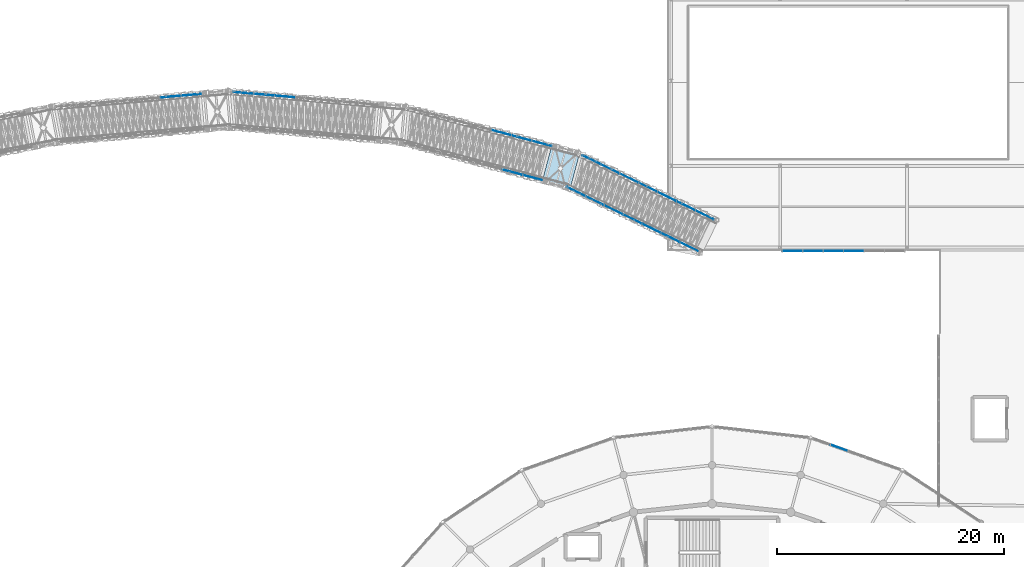
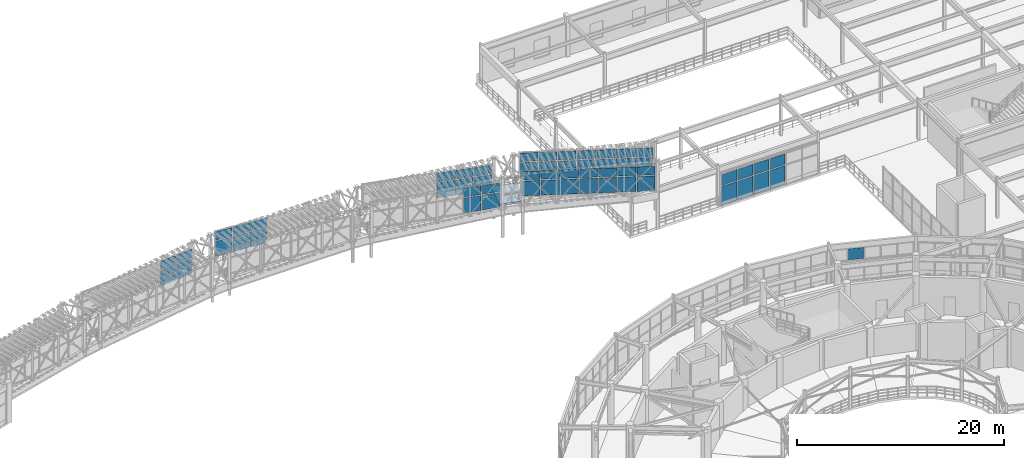
# One storey, part 89 of 144: 57 plates, 1 slab, 9 elements without a shape of their own.
"""IFC4 building model written with IfcOpenShell, lengths in metres."""

from ifc_helpers import new_model, si_unit, direction, frame, origin, origin_2d, place, context, subcontext, project, spatial, polyline, rectangle, outline, extrude, material, layer, layer_set, type_object, element, aggregate, save


model = new_model("IFC4")

# Units and contexts
model_context = context("Model", 3, precision=1e-05, world=origin(), true_north=direction((0.0, 1.0)))
body_context = subcontext(model_context, "Body", "Model", "MODEL_VIEW")
ifc_project = project(units=[si_unit("LENGTHUNIT", "METRE"), si_unit("AREAUNIT", "SQUARE_METRE"), si_unit("VOLUMEUNIT", "CUBIC_METRE"), si_unit("PLANEANGLEUNIT", "RADIAN"), si_unit("MASSUNIT", "GRAM", prefix="KILO")], contexts=[model_context])

# Site, building, storey
site_placement = place(None, origin())
site = spatial("IfcSite", under=ifc_project, at=site_placement, CompositionType="ELEMENT")
building_placement = place(site_placement, origin())
building = spatial("IfcBuilding", under=site, at=building_placement, Name="Cinderbank Siding Concert Hall", CompositionType="ELEMENT")
storey_placement = place(building_placement, frame((0.0, 0.0, 5.39990234375)))
storey = spatial("IfcBuildingStorey", under=building, at=storey_placement, Name="L02", CompositionType="ELEMENT", Elevation=5.39990234375)

# Curtain wall, plates
ifc_material_1 = material(Name="Anodised aluminium alloy 6063-T6", Category="aluminium")
curtain_wall_type_1 = type_object("IfcCurtainWallType", Name="CW-15 Unitised Acoustic Curtain Wall 12800x3200", PredefinedType="NOTDEFINED", material=ifc_material_1)
curtain_wall_1_placement = place(storey_placement, origin())
curtain_wall_1 = element("IfcCurtainWall", 1, at=curtain_wall_1_placement, inside=storey, type_object=curtain_wall_type_1, Name="L02 Curtain Wall CW-15 #160", PredefinedType="NOTDEFINED")
ifc_material_2 = material(Name="Double-glazed laminated acoustic glass", Category="glass")
ifc_layer_1 = layer(ifc_material_2, 0.035888671875)
ifc_layer_set_1 = layer_set([ifc_layer_1], Name="Double-glazed laminated acoustic glass")
plate_type_1 = type_object("IfcPlateType", Name="CP-01 Glazed Curtain Panel 1800x2200", PredefinedType="CURTAIN_PANEL", material=ifc_layer_set_1)
plate_1_placement = place(storey_placement, frame((104.39013671875, 95.23974609375, 3.480224609375), z_axis=(0.0, 0.0, 1.0), x_axis=(0.96592613165, -0.258817905479, 0.0)))
plate_1 = element("IfcPlate", 2, at=plate_1_placement, type_object=plate_type_1, Name="CW-L02-160 Glazed Panel 5-0", PredefinedType="CURTAIN_PANEL", context=body_context, shape_type="SweptSolid", body=[
    extrude(rectangle(XDim=1.755126953125, YDim=0.035888671875, at=origin_2d()), origin(), (0.0, 0.0, 1.0), 1.77294921875),
])
plate_2_placement = place(storey_placement, frame((104.39013671875, 95.23974609375, 5.373046875), z_axis=(0.0, 0.0, 1.0), x_axis=(0.96592613165, -0.258817905479, 0.0)))
plate_2 = element("IfcPlate", 3, at=plate_2_placement, type_object=plate_type_1, Name="CW-L02-160 Glazed Panel 5-1", PredefinedType="CURTAIN_PANEL", context=body_context, shape_type="SweptSolid", body=[
    extrude(rectangle(XDim=1.755126953125, YDim=0.035888671875, at=origin_2d()), origin(), (0.0, 0.0, 1.0), 1.01708984375),
])
plate_3_placement = place(storey_placement, frame((106.18212890625, 94.759521484375, 3.480224609375), z_axis=(0.0, 0.0, 1.0), x_axis=(0.96592613165, -0.258817905479, 0.0)))
plate_3 = element("IfcPlate", 4, at=plate_3_placement, type_object=plate_type_1, Name="CW-L02-160 Glazed Panel 6-0", PredefinedType="CURTAIN_PANEL", context=body_context, shape_type="SweptSolid", body=[
    extrude(rectangle(XDim=1.755126953125, YDim=0.035888671875, at=origin_2d()), origin(), (0.0, 0.0, 1.0), 1.77294921875),
])
plate_4_placement = place(storey_placement, frame((106.18212890625, 94.759521484375, 5.373046875), z_axis=(0.0, 0.0, 1.0), x_axis=(0.96592613165, -0.258817905479, 0.0)))
plate_4 = element("IfcPlate", 5, at=plate_4_placement, type_object=plate_type_1, Name="CW-L02-160 Glazed Panel 6-1", PredefinedType="CURTAIN_PANEL", context=body_context, shape_type="SweptSolid", body=[
    extrude(rectangle(XDim=1.755126953125, YDim=0.035888671875, at=origin_2d()), origin(), (0.0, 0.0, 1.0), 1.01708984375),
])
aggregate(curtain_wall_1, [plate_1, plate_2, plate_3, plate_4])

curtain_wall_2_placement = place(storey_placement, origin())
curtain_wall_2 = element("IfcCurtainWall", 6, at=curtain_wall_2_placement, inside=storey, type_object=curtain_wall_type_1, Name="L02 Curtain Wall CW-15 #161", PredefinedType="NOTDEFINED")
ifc_layer_2 = layer(ifc_material_2, 0.035888671875)
ifc_layer_set_2 = layer_set([ifc_layer_2], Name="Double-glazed laminated acoustic glass")
plate_type_2 = type_object("IfcPlateType", Name="CP-02 Glazed Curtain Panel 1800x1900", PredefinedType="CURTAIN_PANEL", material=ifc_layer_set_2)
plate_5_placement = place(storey_placement, frame((111.3544921875, 96.345947265625, 4.440185546875), z_axis=(0.0, 0.0, 1.0), x_axis=(0.898794401704, -0.4383704181, 0.0)))
plate_5 = element("IfcPlate", 7, at=plate_5_placement, type_object=plate_type_2, Name="CW-L02-161 Glazed Panel 0-0", PredefinedType="CURTAIN_PANEL", context=body_context, shape_type="SweptSolid", body=[
    extrude(rectangle(XDim=1.755126953125, YDim=0.035888671875, at=origin_2d()), origin(), (0.0, 0.0, 1.0), 1.77294921875),
])
plate_6_placement = place(storey_placement, frame((111.3544921875, 96.345947265625, 6.3330078125), z_axis=(0.0, 0.0, 1.0), x_axis=(0.898794401704, -0.4383704181, 0.0)))
plate_6 = element("IfcPlate", 8, at=plate_6_placement, type_object=plate_type_2, Name="CW-L02-161 Glazed Panel 0-1", PredefinedType="CURTAIN_PANEL", context=body_context, shape_type="SweptSolid", body=[
    extrude(rectangle(XDim=1.755126953125, YDim=0.035888671875, at=origin_2d()), origin(), (0.0, 0.0, 1.0), 1.01708984375),
])
plate_7_placement = place(storey_placement, frame((113.021728515625, 95.53271484375, 4.440185546875), z_axis=(0.0, 0.0, 1.0), x_axis=(0.898794401704, -0.4383704181, 0.0)))
plate_7 = element("IfcPlate", 9, at=plate_7_placement, type_object=plate_type_2, Name="CW-L02-161 Glazed Panel 1-0", PredefinedType="CURTAIN_PANEL", context=body_context, shape_type="SweptSolid", body=[
    extrude(rectangle(XDim=1.755126953125, YDim=0.035888671875, at=origin_2d()), origin(), (0.0, 0.0, 1.0), 1.77294921875),
])
plate_8_placement = place(storey_placement, frame((113.021728515625, 95.53271484375, 6.3330078125), z_axis=(0.0, 0.0, 1.0), x_axis=(0.898794401704, -0.4383704181, 0.0)))
plate_8 = element("IfcPlate", 10, at=plate_8_placement, type_object=plate_type_2, Name="CW-L02-161 Glazed Panel 1-1", PredefinedType="CURTAIN_PANEL", context=body_context, shape_type="SweptSolid", body=[
    extrude(rectangle(XDim=1.755126953125, YDim=0.035888671875, at=origin_2d()), origin(), (0.0, 0.0, 1.0), 1.01708984375),
])
plate_9_placement = place(storey_placement, frame((114.689208984375, 94.719482421875, 4.440185546875), z_axis=(0.0, 0.0, 1.0), x_axis=(0.898794401704, -0.4383704181, 0.0)))
plate_9 = element("IfcPlate", 11, at=plate_9_placement, type_object=plate_type_2, Name="CW-L02-161 Glazed Panel 2-0", PredefinedType="CURTAIN_PANEL", context=body_context, shape_type="SweptSolid", body=[
    extrude(rectangle(XDim=1.755126953125, YDim=0.035888671875, at=origin_2d()), origin(), (0.0, 0.0, 1.0), 1.77294921875),
])
plate_10_placement = place(storey_placement, frame((114.689208984375, 94.719482421875, 6.3330078125), z_axis=(0.0, 0.0, 1.0), x_axis=(0.898794401704, -0.4383704181, 0.0)))
plate_10 = element("IfcPlate", 12, at=plate_10_placement, type_object=plate_type_2, Name="CW-L02-161 Glazed Panel 2-1", PredefinedType="CURTAIN_PANEL", context=body_context, shape_type="SweptSolid", body=[
    extrude(rectangle(XDim=1.755126953125, YDim=0.035888671875, at=origin_2d()), origin(), (0.0, 0.0, 1.0), 1.01708984375),
])
plate_11_placement = place(storey_placement, frame((116.356689453125, 93.90625, 4.440185546875), z_axis=(0.0, 0.0, 1.0), x_axis=(0.898794401704, -0.4383704181, 0.0)))
plate_11 = element("IfcPlate", 13, at=plate_11_placement, type_object=plate_type_2, Name="CW-L02-161 Glazed Panel 3-0", PredefinedType="CURTAIN_PANEL", context=body_context, shape_type="SweptSolid", body=[
    extrude(rectangle(XDim=1.755126953125, YDim=0.035888671875, at=origin_2d()), origin(), (0.0, 0.0, 1.0), 1.77294921875),
])
plate_12_placement = place(storey_placement, frame((116.356689453125, 93.90625, 6.3330078125), z_axis=(0.0, 0.0, 1.0), x_axis=(0.898794401704, -0.4383704181, 0.0)))
plate_12 = element("IfcPlate", 14, at=plate_12_placement, type_object=plate_type_2, Name="CW-L02-161 Glazed Panel 3-1", PredefinedType="CURTAIN_PANEL", context=body_context, shape_type="SweptSolid", body=[
    extrude(rectangle(XDim=1.755126953125, YDim=0.035888671875, at=origin_2d()), origin(), (0.0, 0.0, 1.0), 1.01708984375),
])
plate_13_placement = place(storey_placement, frame((118.024169921875, 93.093017578125, 4.440185546875), z_axis=(0.0, 0.0, 1.0), x_axis=(0.898794401704, -0.4383704181, 0.0)))
plate_13 = element("IfcPlate", 15, at=plate_13_placement, type_object=plate_type_2, Name="CW-L02-161 Glazed Panel 4-0", PredefinedType="CURTAIN_PANEL", context=body_context, shape_type="SweptSolid", body=[
    extrude(rectangle(XDim=1.755126953125, YDim=0.035888671875, at=origin_2d()), origin(), (0.0, 0.0, 1.0), 1.77294921875),
])
plate_14_placement = place(storey_placement, frame((118.024169921875, 93.093017578125, 6.3330078125), z_axis=(0.0, 0.0, 1.0), x_axis=(0.898794401704, -0.4383704181, 0.0)))
plate_14 = element("IfcPlate", 16, at=plate_14_placement, type_object=plate_type_2, Name="CW-L02-161 Glazed Panel 4-1", PredefinedType="CURTAIN_PANEL", context=body_context, shape_type="SweptSolid", body=[
    extrude(rectangle(XDim=1.755126953125, YDim=0.035888671875, at=origin_2d()), origin(), (0.0, 0.0, 1.0), 1.01708984375),
])
plate_15_placement = place(storey_placement, frame((119.69140625, 92.27978515625, 4.440185546875), z_axis=(0.0, 0.0, 1.0), x_axis=(0.898794401704, -0.4383704181, 0.0)))
plate_15 = element("IfcPlate", 17, at=plate_15_placement, type_object=plate_type_2, Name="CW-L02-161 Glazed Panel 5-0", PredefinedType="CURTAIN_PANEL", context=body_context, shape_type="SweptSolid", body=[
    extrude(rectangle(XDim=1.755126953125, YDim=0.035888671875, at=origin_2d()), origin(), (0.0, 0.0, 1.0), 1.77294921875),
])
plate_16_placement = place(storey_placement, frame((119.69140625, 92.27978515625, 6.3330078125), z_axis=(0.0, 0.0, 1.0), x_axis=(0.898794401704, -0.4383704181, 0.0)))
plate_16 = element("IfcPlate", 18, at=plate_16_placement, type_object=plate_type_2, Name="CW-L02-161 Glazed Panel 5-1", PredefinedType="CURTAIN_PANEL", context=body_context, shape_type="SweptSolid", body=[
    extrude(rectangle(XDim=1.755126953125, YDim=0.035888671875, at=origin_2d()), origin(), (0.0, 0.0, 1.0), 1.01708984375),
])
plate_17_placement = place(storey_placement, frame((121.35888671875, 91.466552734375, 4.440185546875), z_axis=(0.0, 0.0, 1.0), x_axis=(0.898794401704, -0.4383704181, 0.0)))
plate_17 = element("IfcPlate", 19, at=plate_17_placement, type_object=plate_type_2, Name="CW-L02-161 Glazed Panel 6-0", PredefinedType="CURTAIN_PANEL", context=body_context, shape_type="SweptSolid", body=[
    extrude(rectangle(XDim=1.755126953125, YDim=0.035888671875, at=origin_2d()), origin(), (0.0, 0.0, 1.0), 1.77294921875),
])
plate_18_placement = place(storey_placement, frame((121.35888671875, 91.466552734375, 6.3330078125), z_axis=(0.0, 0.0, 1.0), x_axis=(0.898794401704, -0.4383704181, 0.0)))
plate_18 = element("IfcPlate", 20, at=plate_18_placement, type_object=plate_type_2, Name="CW-L02-161 Glazed Panel 6-1", PredefinedType="CURTAIN_PANEL", context=body_context, shape_type="SweptSolid", body=[
    extrude(rectangle(XDim=1.755126953125, YDim=0.035888671875, at=origin_2d()), origin(), (0.0, 0.0, 1.0), 1.01708984375),
])
aggregate(curtain_wall_2, [plate_5, plate_6, plate_7, plate_8, plate_9, plate_10, plate_11, plate_12, plate_13, plate_14, plate_15, plate_16, plate_17, plate_18])

curtain_wall_3_placement = place(storey_placement, origin())
curtain_wall_3 = element("IfcCurtainWall", 21, at=curtain_wall_3_placement, inside=storey, type_object=curtain_wall_type_1, Name="L02 Curtain Wall CW-15 #162", PredefinedType="NOTDEFINED")
ifc_layer_3 = layer(ifc_material_2, 0.035888671875)
ifc_layer_set_3 = layer_set([ifc_layer_3], Name="Double-glazed laminated acoustic glass")
plate_type_3 = type_object("IfcPlateType", Name="CP-03 Glazed Curtain Panel 1600x2100", PredefinedType="CURTAIN_PANEL", material=ifc_layer_set_3)
plate_19_placement = place(storey_placement, frame((109.98681640625, 93.541748046875, 4.440185546875), z_axis=(0.0, 0.0, 1.0), x_axis=(0.898794401704, -0.4383704181, 0.0)))
plate_19 = element("IfcPlate", 22, at=plate_19_placement, type_object=plate_type_3, Name="CW-L02-162 Glazed Panel 0-0", PredefinedType="CURTAIN_PANEL", context=body_context, shape_type="SweptSolid", body=[
    extrude(rectangle(XDim=1.755126953125, YDim=0.035888671875, at=origin_2d()), origin(), (0.0, 0.0, 1.0), 1.77294921875),
])
plate_20_placement = place(storey_placement, frame((109.98681640625, 93.541748046875, 6.3330078125), z_axis=(0.0, 0.0, 1.0), x_axis=(0.898794401704, -0.4383704181, 0.0)))
plate_20 = element("IfcPlate", 23, at=plate_20_placement, type_object=plate_type_3, Name="CW-L02-162 Glazed Panel 0-1", PredefinedType="CURTAIN_PANEL", context=body_context, shape_type="SweptSolid", body=[
    extrude(rectangle(XDim=1.755126953125, YDim=0.035888671875, at=origin_2d()), origin(), (0.0, 0.0, 1.0), 1.01708984375),
])
plate_21_placement = place(storey_placement, frame((111.654052734375, 92.728515625, 4.440185546875), z_axis=(0.0, 0.0, 1.0), x_axis=(0.898794401704, -0.4383704181, 0.0)))
plate_21 = element("IfcPlate", 24, at=plate_21_placement, type_object=plate_type_3, Name="CW-L02-162 Glazed Panel 1-0", PredefinedType="CURTAIN_PANEL", context=body_context, shape_type="SweptSolid", body=[
    extrude(rectangle(XDim=1.755126953125, YDim=0.035888671875, at=origin_2d()), origin(), (0.0, 0.0, 1.0), 1.77294921875),
])
plate_22_placement = place(storey_placement, frame((111.654052734375, 92.728515625, 6.3330078125), z_axis=(0.0, 0.0, 1.0), x_axis=(0.898794401704, -0.4383704181, 0.0)))
plate_22 = element("IfcPlate", 25, at=plate_22_placement, type_object=plate_type_3, Name="CW-L02-162 Glazed Panel 1-1", PredefinedType="CURTAIN_PANEL", context=body_context, shape_type="SweptSolid", body=[
    extrude(rectangle(XDim=1.755126953125, YDim=0.035888671875, at=origin_2d()), origin(), (0.0, 0.0, 1.0), 1.01708984375),
])
plate_23_placement = place(storey_placement, frame((113.321533203125, 91.915283203125, 4.440185546875), z_axis=(0.0, 0.0, 1.0), x_axis=(0.898794401704, -0.4383704181, 0.0)))
plate_23 = element("IfcPlate", 26, at=plate_23_placement, type_object=plate_type_3, Name="CW-L02-162 Glazed Panel 2-0", PredefinedType="CURTAIN_PANEL", context=body_context, shape_type="SweptSolid", body=[
    extrude(rectangle(XDim=1.755126953125, YDim=0.035888671875, at=origin_2d()), origin(), (0.0, 0.0, 1.0), 1.77294921875),
])
plate_24_placement = place(storey_placement, frame((113.321533203125, 91.915283203125, 6.3330078125), z_axis=(0.0, 0.0, 1.0), x_axis=(0.898794401704, -0.4383704181, 0.0)))
plate_24 = element("IfcPlate", 27, at=plate_24_placement, type_object=plate_type_3, Name="CW-L02-162 Glazed Panel 2-1", PredefinedType="CURTAIN_PANEL", context=body_context, shape_type="SweptSolid", body=[
    extrude(rectangle(XDim=1.755126953125, YDim=0.035888671875, at=origin_2d()), origin(), (0.0, 0.0, 1.0), 1.01708984375),
])
plate_25_placement = place(storey_placement, frame((114.989013671875, 91.10205078125, 4.440185546875), z_axis=(0.0, 0.0, 1.0), x_axis=(0.898794401704, -0.4383704181, 0.0)))
plate_25 = element("IfcPlate", 28, at=plate_25_placement, type_object=plate_type_3, Name="CW-L02-162 Glazed Panel 3-0", PredefinedType="CURTAIN_PANEL", context=body_context, shape_type="SweptSolid", body=[
    extrude(rectangle(XDim=1.755126953125, YDim=0.035888671875, at=origin_2d()), origin(), (0.0, 0.0, 1.0), 1.77294921875),
])
plate_26_placement = place(storey_placement, frame((114.989013671875, 91.10205078125, 6.3330078125), z_axis=(0.0, 0.0, 1.0), x_axis=(0.898794401704, -0.4383704181, 0.0)))
plate_26 = element("IfcPlate", 29, at=plate_26_placement, type_object=plate_type_3, Name="CW-L02-162 Glazed Panel 3-1", PredefinedType="CURTAIN_PANEL", context=body_context, shape_type="SweptSolid", body=[
    extrude(rectangle(XDim=1.755126953125, YDim=0.035888671875, at=origin_2d()), origin(), (0.0, 0.0, 1.0), 1.01708984375),
])
plate_27_placement = place(storey_placement, frame((116.65625, 90.288818359375, 4.440185546875), z_axis=(0.0, 0.0, 1.0), x_axis=(0.898794401704, -0.4383704181, 0.0)))
plate_27 = element("IfcPlate", 30, at=plate_27_placement, type_object=plate_type_3, Name="CW-L02-162 Glazed Panel 4-0", PredefinedType="CURTAIN_PANEL", context=body_context, shape_type="SweptSolid", body=[
    extrude(rectangle(XDim=1.755126953125, YDim=0.035888671875, at=origin_2d()), origin(), (0.0, 0.0, 1.0), 1.77294921875),
])
plate_28_placement = place(storey_placement, frame((116.65625, 90.288818359375, 6.3330078125), z_axis=(0.0, 0.0, 1.0), x_axis=(0.898794401704, -0.4383704181, 0.0)))
plate_28 = element("IfcPlate", 31, at=plate_28_placement, type_object=plate_type_3, Name="CW-L02-162 Glazed Panel 4-1", PredefinedType="CURTAIN_PANEL", context=body_context, shape_type="SweptSolid", body=[
    extrude(rectangle(XDim=1.755126953125, YDim=0.035888671875, at=origin_2d()), origin(), (0.0, 0.0, 1.0), 1.01708984375),
])
plate_29_placement = place(storey_placement, frame((118.32373046875, 89.4755859375, 4.440185546875), z_axis=(0.0, 0.0, 1.0), x_axis=(0.898794401704, -0.4383704181, 0.0)))
plate_29 = element("IfcPlate", 32, at=plate_29_placement, type_object=plate_type_3, Name="CW-L02-162 Glazed Panel 5-0", PredefinedType="CURTAIN_PANEL", context=body_context, shape_type="SweptSolid", body=[
    extrude(rectangle(XDim=1.755126953125, YDim=0.035888671875, at=origin_2d()), origin(), (0.0, 0.0, 1.0), 1.77294921875),
])
plate_30_placement = place(storey_placement, frame((118.32373046875, 89.4755859375, 6.3330078125), z_axis=(0.0, 0.0, 1.0), x_axis=(0.898794401704, -0.4383704181, 0.0)))
plate_30 = element("IfcPlate", 33, at=plate_30_placement, type_object=plate_type_3, Name="CW-L02-162 Glazed Panel 5-1", PredefinedType="CURTAIN_PANEL", context=body_context, shape_type="SweptSolid", body=[
    extrude(rectangle(XDim=1.755126953125, YDim=0.035888671875, at=origin_2d()), origin(), (0.0, 0.0, 1.0), 1.01708984375),
])
plate_31_placement = place(storey_placement, frame((119.9912109375, 88.662353515625, 4.440185546875), z_axis=(0.0, 0.0, 1.0), x_axis=(0.898794401704, -0.4383704181, 0.0)))
plate_31 = element("IfcPlate", 34, at=plate_31_placement, type_object=plate_type_3, Name="CW-L02-162 Glazed Panel 6-0", PredefinedType="CURTAIN_PANEL", context=body_context, shape_type="SweptSolid", body=[
    extrude(rectangle(XDim=1.755126953125, YDim=0.035888671875, at=origin_2d()), origin(), (0.0, 0.0, 1.0), 1.77294921875),
])
plate_32_placement = place(storey_placement, frame((119.9912109375, 88.662353515625, 6.3330078125), z_axis=(0.0, 0.0, 1.0), x_axis=(0.898794401704, -0.4383704181, 0.0)))
plate_32 = element("IfcPlate", 35, at=plate_32_placement, type_object=plate_type_3, Name="CW-L02-162 Glazed Panel 6-1", PredefinedType="CURTAIN_PANEL", context=body_context, shape_type="SweptSolid", body=[
    extrude(rectangle(XDim=1.755126953125, YDim=0.035888671875, at=origin_2d()), origin(), (0.0, 0.0, 1.0), 1.01708984375),
])
aggregate(curtain_wall_3, [plate_19, plate_20, plate_21, plate_22, plate_23, plate_24, plate_25, plate_26, plate_27, plate_28, plate_29, plate_30, plate_31, plate_32])

curtain_wall_4_placement = place(storey_placement, origin())
curtain_wall_4 = element("IfcCurtainWall", 36, at=curtain_wall_4_placement, inside=storey, type_object=curtain_wall_type_1, Name="L02 Curtain Wall CW-15 #155", PredefinedType="NOTDEFINED")
ifc_layer_4 = layer(ifc_material_2, 0.031982421875)
ifc_layer_set_4 = layer_set([ifc_layer_4], Name="Double-glazed laminated acoustic glass")
plate_type_4 = type_object("IfcPlateType", Name="CP-04 Glazed Curtain Panel 1400x2000", PredefinedType="CURTAIN_PANEL", material=ifc_layer_set_4)
plate_33_placement = place(storey_placement, frame((74.211181640625, 101.9091796875, 1.56005859375), z_axis=(0.0, 0.0, 1.0), x_axis=(0.996194549296, 0.08715744348, 0.0)))
plate_33 = element("IfcPlate", 37, at=plate_33_placement, type_object=plate_type_4, Name="CW-L02-155 Glazed Panel 5-0", PredefinedType="CURTAIN_PANEL", context=body_context, shape_type="SweptSolid", body=[
    extrude(rectangle(XDim=1.755126953125, YDim=0.035888671875, at=origin_2d()), origin(), (0.0, 0.0, 1.0), 1.77294921875),
])
plate_34_placement = place(storey_placement, frame((74.211181640625, 101.9091796875, 3.453125), z_axis=(0.0, 0.0, 1.0), x_axis=(0.996194549296, 0.08715744348, 0.0)))
plate_34 = element("IfcPlate", 38, at=plate_34_placement, type_object=plate_type_4, Name="CW-L02-155 Glazed Panel 5-1", PredefinedType="CURTAIN_PANEL", context=body_context, shape_type="SweptSolid", body=[
    extrude(rectangle(XDim=1.755126953125, YDim=0.035888671875, at=origin_2d()), origin(), (0.0, 0.0, 1.0), 1.01708984375),
])
plate_35_placement = place(storey_placement, frame((76.05908203125, 102.07080078125, 1.56005859375), z_axis=(0.0, 0.0, 1.0), x_axis=(0.996194549296, 0.08715744348, 0.0)))
plate_35 = element("IfcPlate", 39, at=plate_35_placement, type_object=plate_type_4, Name="CW-L02-155 Glazed Panel 6-0", PredefinedType="CURTAIN_PANEL", context=body_context, shape_type="SweptSolid", body=[
    extrude(rectangle(XDim=1.755126953125, YDim=0.035888671875, at=origin_2d()), origin(), (0.0, 0.0, 1.0), 1.77294921875),
])
plate_36_placement = place(storey_placement, frame((76.05908203125, 102.07080078125, 3.453125), z_axis=(0.0, 0.0, 1.0), x_axis=(0.996194549296, 0.08715744348, 0.0)))
plate_36 = element("IfcPlate", 40, at=plate_36_placement, type_object=plate_type_4, Name="CW-L02-155 Glazed Panel 6-1", PredefinedType="CURTAIN_PANEL", context=body_context, shape_type="SweptSolid", body=[
    extrude(rectangle(XDim=1.755126953125, YDim=0.035888671875, at=origin_2d()), origin(), (0.0, 0.0, 1.0), 1.01708984375),
])
aggregate(curtain_wall_4, [plate_33, plate_34, plate_35, plate_36])

# Curtain wall, plate
curtain_wall_type_2 = type_object("IfcCurtainWallType", Name="CW-05 Unitised Acoustic Curtain Wall 8200x3800", PredefinedType="NOTDEFINED", material=ifc_material_1)
curtain_wall_5_placement = place(storey_placement, origin())
curtain_wall_5 = element("IfcCurtainWall", 41, at=curtain_wall_5_placement, inside=storey, type_object=curtain_wall_type_2, Name="L02 Curtain Wall CW-05 #5", PredefinedType="NOTDEFINED")
ifc_layer_5 = layer(ifc_material_2, 0.0380859375)
ifc_layer_set_5 = layer_set([ifc_layer_5], Name="Double-glazed laminated acoustic glass")
plate_type_5 = type_object("IfcPlateType", Name="CP-06 Glazed Curtain Panel 2100x1600", PredefinedType="CURTAIN_PANEL", material=ifc_layer_set_5)
plate_37_placement = place(storey_placement, frame((133.212890625, 70.92529296875, 2.5009765625), z_axis=(0.0, 0.0, 1.0), x_axis=(-0.942365662238, 0.334584755532, 0.0)))
plate_37 = element("IfcPlate", 42, at=plate_37_placement, type_object=plate_type_5, Name="CW-L02-005 Glazed Panel 3-1", PredefinedType="CURTAIN_PANEL", context=body_context, shape_type="SweptSolid", body=[
    extrude(rectangle(XDim=1.529052734375, YDim=0.035888671875, at=origin_2d()), origin(), (0.0, 0.0, 1.0), 1.316162109375),
])
aggregate(curtain_wall_5, [plate_37])

# Curtain wall, plates
curtain_wall_6_placement = place(storey_placement, origin())
curtain_wall_6 = element("IfcCurtainWall", 43, at=curtain_wall_6_placement, inside=storey, type_object=curtain_wall_type_1, Name="L02 Curtain Wall CW-15 #157", PredefinedType="NOTDEFINED")
plate_38_placement = place(storey_placement, frame((80.623779296875, 102.2451171875, 2.52001953125), z_axis=(0.0, 0.0, 1.0), x_axis=(0.996194549296, -0.08715744348, 0.0)))
plate_38 = element("IfcPlate", 44, at=plate_38_placement, type_object=plate_type_5, Name="CW-L02-157 Glazed Panel 0-0", PredefinedType="CURTAIN_PANEL", context=body_context, shape_type="SweptSolid", body=[
    extrude(rectangle(XDim=1.755126953125, YDim=0.035888671875, at=origin_2d()), origin(), (0.0, 0.0, 1.0), 1.77294921875),
])
plate_39_placement = place(storey_placement, frame((80.623779296875, 102.2451171875, 4.4130859375), z_axis=(0.0, 0.0, 1.0), x_axis=(0.996194549296, -0.08715744348, 0.0)))
plate_39 = element("IfcPlate", 45, at=plate_39_placement, type_object=plate_type_5, Name="CW-L02-157 Glazed Panel 0-1", PredefinedType="CURTAIN_PANEL", context=body_context, shape_type="SweptSolid", body=[
    extrude(rectangle(XDim=1.755126953125, YDim=0.035888671875, at=origin_2d()), origin(), (0.0, 0.0, 1.0), 1.01708984375),
])
plate_40_placement = place(storey_placement, frame((82.471923828125, 102.08349609375, 2.52001953125), z_axis=(0.0, 0.0, 1.0), x_axis=(0.996194549296, -0.08715744348, 0.0)))
plate_40 = element("IfcPlate", 46, at=plate_40_placement, type_object=plate_type_5, Name="CW-L02-157 Glazed Panel 1-0", PredefinedType="CURTAIN_PANEL", context=body_context, shape_type="SweptSolid", body=[
    extrude(rectangle(XDim=1.755126953125, YDim=0.035888671875, at=origin_2d()), origin(), (0.0, 0.0, 1.0), 1.77294921875),
])
plate_41_placement = place(storey_placement, frame((82.471923828125, 102.08349609375, 4.4130859375), z_axis=(0.0, 0.0, 1.0), x_axis=(0.996194549296, -0.08715744348, 0.0)))
plate_41 = element("IfcPlate", 47, at=plate_41_placement, type_object=plate_type_5, Name="CW-L02-157 Glazed Panel 1-1", PredefinedType="CURTAIN_PANEL", context=body_context, shape_type="SweptSolid", body=[
    extrude(rectangle(XDim=1.755126953125, YDim=0.035888671875, at=origin_2d()), origin(), (0.0, 0.0, 1.0), 1.01708984375),
])
plate_42_placement = place(storey_placement, frame((84.320068359375, 101.921875, 2.52001953125), z_axis=(0.0, 0.0, 1.0), x_axis=(0.996194549296, -0.08715744348, 0.0)))
plate_42 = element("IfcPlate", 48, at=plate_42_placement, type_object=plate_type_5, Name="CW-L02-157 Glazed Panel 2-0", PredefinedType="CURTAIN_PANEL", context=body_context, shape_type="SweptSolid", body=[
    extrude(rectangle(XDim=1.755126953125, YDim=0.035888671875, at=origin_2d()), origin(), (0.0, 0.0, 1.0), 1.77294921875),
])
plate_43_placement = place(storey_placement, frame((84.320068359375, 101.921875, 4.4130859375), z_axis=(0.0, 0.0, 1.0), x_axis=(0.996194549296, -0.08715744348, 0.0)))
plate_43 = element("IfcPlate", 49, at=plate_43_placement, type_object=plate_type_5, Name="CW-L02-157 Glazed Panel 2-1", PredefinedType="CURTAIN_PANEL", context=body_context, shape_type="SweptSolid", body=[
    extrude(rectangle(XDim=1.755126953125, YDim=0.035888671875, at=origin_2d()), origin(), (0.0, 0.0, 1.0), 1.01708984375),
])
aggregate(curtain_wall_6, [plate_38, plate_39, plate_40, plate_41, plate_42, plate_43])

curtain_wall_type_3 = type_object("IfcCurtainWallType", Name="CW-16 Unitised Acoustic Curtain Wall 9200x3800", PredefinedType="NOTDEFINED", material=ifc_material_1)
curtain_wall_7_placement = place(storey_placement, origin())
curtain_wall_7 = element("IfcCurtainWall", 50, at=curtain_wall_7_placement, inside=storey, type_object=curtain_wall_type_3, Name="L02 Curtain Wall CW-16 #151", PredefinedType="NOTDEFINED")
ifc_layer_6 = layer(ifc_material_2, 0.033935546875)
ifc_layer_set_6 = layer_set([ifc_layer_6], Name="Double-glazed laminated acoustic glass")
plate_type_6 = type_object("IfcPlateType", Name="CP-08 Glazed Curtain Panel 1700x1550", PredefinedType="CURTAIN_PANEL", material=ifc_layer_set_6)
plate_44_placement = place(storey_placement, frame((129.09423828125, 88.300048828125, 0.1201171875), z_axis=(0.0, 0.0, 1.0), x_axis=(1.0, 0.0, 0.0)))
plate_44 = element("IfcPlate", 51, at=plate_44_placement, type_object=plate_type_6, Name="CW-L02-151 Glazed Panel 0-0", PredefinedType="CURTAIN_PANEL", context=body_context, shape_type="SweptSolid", body=[
    extrude(rectangle(XDim=1.702392578125, YDim=0.035888671875, at=origin_2d()), origin(), (0.0, 0.0, 1.0), 2.192626953125),
])
plate_45_placement = place(storey_placement, frame((129.09423828125, 88.300048828125, 2.432861328125), z_axis=(0.0, 0.0, 1.0), x_axis=(1.0, 0.0, 0.0)))
plate_45 = element("IfcPlate", 52, at=plate_45_placement, type_object=plate_type_6, Name="CW-L02-151 Glazed Panel 0-1", PredefinedType="CURTAIN_PANEL", context=body_context, shape_type="SweptSolid", body=[
    extrude(rectangle(XDim=1.702392578125, YDim=0.035888671875, at=origin_2d()), origin(), (0.0, 0.0, 1.0), 1.2744140625),
])
plate_46_placement = place(storey_placement, frame((130.896484375, 88.300048828125, 0.1201171875), z_axis=(0.0, 0.0, 1.0), x_axis=(1.0, 0.0, 0.0)))
plate_46 = element("IfcPlate", 53, at=plate_46_placement, type_object=plate_type_6, Name="CW-L02-151 Glazed Panel 1-0", PredefinedType="CURTAIN_PANEL", context=body_context, shape_type="SweptSolid", body=[
    extrude(rectangle(XDim=1.702392578125, YDim=0.035888671875, at=origin_2d()), origin(), (0.0, 0.0, 1.0), 2.192626953125),
])
plate_47_placement = place(storey_placement, frame((130.896484375, 88.300048828125, 2.432861328125), z_axis=(0.0, 0.0, 1.0), x_axis=(1.0, 0.0, 0.0)))
plate_47 = element("IfcPlate", 54, at=plate_47_placement, type_object=plate_type_6, Name="CW-L02-151 Glazed Panel 1-1", PredefinedType="CURTAIN_PANEL", context=body_context, shape_type="SweptSolid", body=[
    extrude(rectangle(XDim=1.702392578125, YDim=0.035888671875, at=origin_2d()), origin(), (0.0, 0.0, 1.0), 1.2744140625),
])
plate_48_placement = place(storey_placement, frame((132.69873046875, 88.300048828125, 0.1201171875), z_axis=(0.0, 0.0, 1.0), x_axis=(1.0, 0.0, 0.0)))
plate_48 = element("IfcPlate", 55, at=plate_48_placement, type_object=plate_type_6, Name="CW-L02-151 Glazed Panel 2-0", PredefinedType="CURTAIN_PANEL", context=body_context, shape_type="SweptSolid", body=[
    extrude(rectangle(XDim=1.702392578125, YDim=0.035888671875, at=origin_2d()), origin(), (0.0, 0.0, 1.0), 2.192626953125),
])
plate_49_placement = place(storey_placement, frame((132.69873046875, 88.300048828125, 2.432861328125), z_axis=(0.0, 0.0, 1.0), x_axis=(1.0, 0.0, 0.0)))
plate_49 = element("IfcPlate", 56, at=plate_49_placement, type_object=plate_type_6, Name="CW-L02-151 Glazed Panel 2-1", PredefinedType="CURTAIN_PANEL", context=body_context, shape_type="SweptSolid", body=[
    extrude(rectangle(XDim=1.702392578125, YDim=0.035888671875, at=origin_2d()), origin(), (0.0, 0.0, 1.0), 1.2744140625),
])
plate_50_placement = place(storey_placement, frame((134.501220703125, 88.300048828125, 0.1201171875), z_axis=(0.0, 0.0, 1.0), x_axis=(1.0, 0.0, 0.0)))
plate_50 = element("IfcPlate", 57, at=plate_50_placement, type_object=plate_type_6, Name="CW-L02-151 Glazed Panel 3-0", PredefinedType="CURTAIN_PANEL", context=body_context, shape_type="SweptSolid", body=[
    extrude(rectangle(XDim=1.702392578125, YDim=0.035888671875, at=origin_2d()), origin(), (0.0, 0.0, 1.0), 2.192626953125),
])
plate_51_placement = place(storey_placement, frame((134.501220703125, 88.300048828125, 2.432861328125), z_axis=(0.0, 0.0, 1.0), x_axis=(1.0, 0.0, 0.0)))
plate_51 = element("IfcPlate", 58, at=plate_51_placement, type_object=plate_type_6, Name="CW-L02-151 Glazed Panel 3-1", PredefinedType="CURTAIN_PANEL", context=body_context, shape_type="SweptSolid", body=[
    extrude(rectangle(XDim=1.702392578125, YDim=0.035888671875, at=origin_2d()), origin(), (0.0, 0.0, 1.0), 1.2744140625),
])
aggregate(curtain_wall_7, [plate_44, plate_45, plate_46, plate_47, plate_48, plate_49, plate_50, plate_51])

curtain_wall_8_placement = place(storey_placement, origin())
curtain_wall_8 = element("IfcCurtainWall", 59, at=curtain_wall_8_placement, inside=storey, type_object=curtain_wall_type_1, Name="L02 Curtain Wall CW-15 #159", PredefinedType="NOTDEFINED")
plate_52_placement = place(storey_placement, frame((103.40576171875, 98.7333984375, 3.480224609375), z_axis=(0.0, 0.0, 1.0), x_axis=(0.96592613165, -0.258817905479, 0.0)))
plate_52 = element("IfcPlate", 60, at=plate_52_placement, type_object=plate_type_6, Name="CW-L02-159 Glazed Panel 4-0", PredefinedType="CURTAIN_PANEL", context=body_context, shape_type="SweptSolid", body=[
    extrude(rectangle(XDim=1.755126953125, YDim=0.035888671875, at=origin_2d()), origin(), (0.0, 0.0, 1.0), 1.77294921875),
])
plate_53_placement = place(storey_placement, frame((103.40576171875, 98.7333984375, 5.373046875), z_axis=(0.0, 0.0, 1.0), x_axis=(0.96592613165, -0.258817905479, 0.0)))
plate_53 = element("IfcPlate", 61, at=plate_53_placement, type_object=plate_type_6, Name="CW-L02-159 Glazed Panel 4-1", PredefinedType="CURTAIN_PANEL", context=body_context, shape_type="SweptSolid", body=[
    extrude(rectangle(XDim=1.755126953125, YDim=0.035888671875, at=origin_2d()), origin(), (0.0, 0.0, 1.0), 1.01708984375),
])
plate_54_placement = place(storey_placement, frame((105.197509765625, 98.25341796875, 3.480224609375), z_axis=(0.0, 0.0, 1.0), x_axis=(0.96592613165, -0.258817905479, 0.0)))
plate_54 = element("IfcPlate", 62, at=plate_54_placement, type_object=plate_type_6, Name="CW-L02-159 Glazed Panel 5-0", PredefinedType="CURTAIN_PANEL", context=body_context, shape_type="SweptSolid", body=[
    extrude(rectangle(XDim=1.755126953125, YDim=0.035888671875, at=origin_2d()), origin(), (0.0, 0.0, 1.0), 1.77294921875),
])
plate_55_placement = place(storey_placement, frame((105.197509765625, 98.25341796875, 5.373046875), z_axis=(0.0, 0.0, 1.0), x_axis=(0.96592613165, -0.258817905479, 0.0)))
plate_55 = element("IfcPlate", 63, at=plate_55_placement, type_object=plate_type_6, Name="CW-L02-159 Glazed Panel 5-1", PredefinedType="CURTAIN_PANEL", context=body_context, shape_type="SweptSolid", body=[
    extrude(rectangle(XDim=1.755126953125, YDim=0.035888671875, at=origin_2d()), origin(), (0.0, 0.0, 1.0), 1.01708984375),
])
plate_56_placement = place(storey_placement, frame((106.989501953125, 97.773193359375, 3.480224609375), z_axis=(0.0, 0.0, 1.0), x_axis=(0.96592613165, -0.258817905479, 0.0)))
plate_56 = element("IfcPlate", 64, at=plate_56_placement, type_object=plate_type_6, Name="CW-L02-159 Glazed Panel 6-0", PredefinedType="CURTAIN_PANEL", context=body_context, shape_type="SweptSolid", body=[
    extrude(rectangle(XDim=1.755126953125, YDim=0.035888671875, at=origin_2d()), origin(), (0.0, 0.0, 1.0), 1.77294921875),
])
plate_57_placement = place(storey_placement, frame((106.989501953125, 97.773193359375, 5.373046875), z_axis=(0.0, 0.0, 1.0), x_axis=(0.96592613165, -0.258817905479, 0.0)))
plate_57 = element("IfcPlate", 65, at=plate_57_placement, type_object=plate_type_6, Name="CW-L02-159 Glazed Panel 6-1", PredefinedType="CURTAIN_PANEL", context=body_context, shape_type="SweptSolid", body=[
    extrude(rectangle(XDim=1.755126953125, YDim=0.035888671875, at=origin_2d()), origin(), (0.0, 0.0, 1.0), 1.01708984375),
])
aggregate(curtain_wall_8, [plate_52, plate_53, plate_54, plate_55, plate_56, plate_57])

# Ramp, slab
ifc_material_3 = material(Name="Reinforced concrete AS 3600 N50 (50 MPa)", Category="concrete")
ramp_type = type_object("IfcRampType", Name="RP-BR1 Curving Forecourt Ramp Bridge", PredefinedType="HALF_TURN_RAMP", material=ifc_material_3)
ramp_placement = place(storey_placement, origin())
ramp = element("IfcRamp", 66, at=ramp_placement, inside=storey, type_object=ramp_type, Name="Forecourt Curving 1:14 Accessible Ramp Bridge", PredefinedType="HALF_TURN_RAMP")
ifc_layer_7 = layer(ifc_material_3, 0.199951171875)
ifc_layer_set_7 = layer_set([ifc_layer_7], Name="Reinforced concrete AS 3600 N50 (50 MPa)")
slab_type = type_object("IfcSlabType", Name="LD-01 Slab 200mm", PredefinedType="LANDING", material=ifc_layer_set_7)
slab_placement = place(storey_placement, frame((0.0, 0.0, 3.64013671875)))
slab = element("IfcSlab", 67, at=slab_placement, type_object=slab_type, Name="Bridge Level Landing #8", PredefinedType="LANDING", context=body_context, shape_type="SweptSolid", body=[
    extrude(outline(polyline([(107.02685546875, 94.533203125), (109.49951171875, 93.87060546875), (110.30712890625, 96.884521484375), (107.834228515625, 97.546875), (107.02685546875, 94.533203125)])), origin(), (0.0, 0.0, 1.0), 0.199951171875),
])
aggregate(ramp, [slab])

save(model, "model.ifc")
